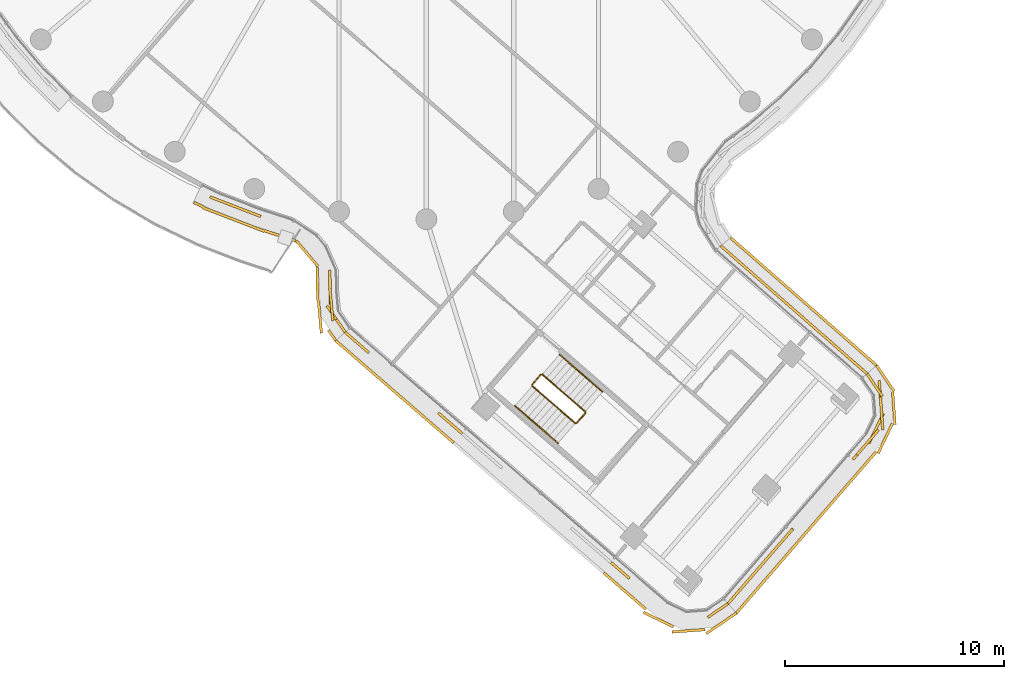
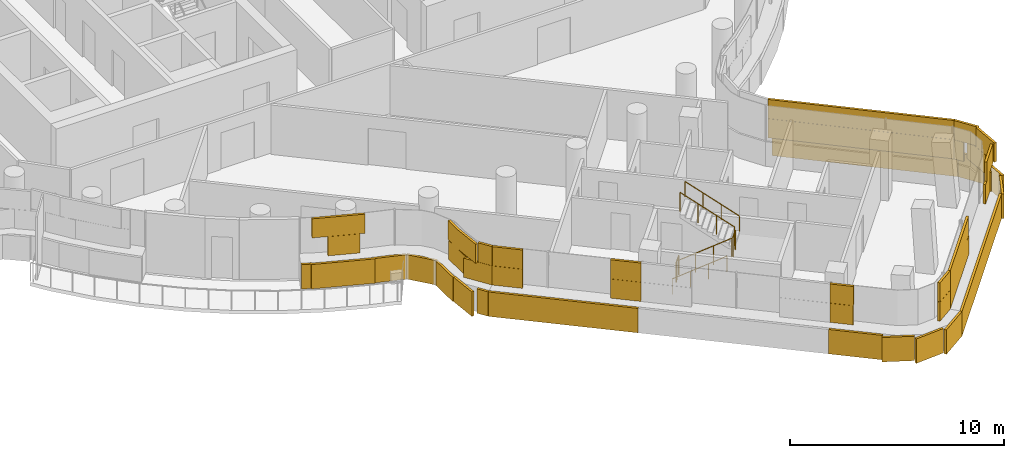
# One storey, part 26 of 32: 6 railings, 5 coverings.
"""IFC4 building model written with IfcOpenShell, lengths in metres."""

from ifc_helpers import new_model, si_unit, direction, frame, origin, origin_2d, place, context, subcontext, project, spatial, rectangle, circle, extrude, material, layer, layer_set, type_object, element, save


model = new_model("IFC4")

# Units and contexts
model_context = context("Model", 3, precision=1e-05, world=origin(), true_north=direction((0.0, 1.0)))
body_context = subcontext(model_context, "Body", "Model", "MODEL_VIEW")
ifc_project = project(units=[si_unit("LENGTHUNIT", "METRE"), si_unit("AREAUNIT", "SQUARE_METRE"), si_unit("VOLUMEUNIT", "CUBIC_METRE"), si_unit("PLANEANGLEUNIT", "RADIAN"), si_unit("MASSUNIT", "GRAM", prefix="KILO")], contexts=[model_context])

# Site, building, storey
site_placement = place(None, origin())
site = spatial("IfcSite", under=ifc_project, at=site_placement, CompositionType="ELEMENT")
building_placement = place(site_placement, origin())
building = spatial("IfcBuilding", under=site, at=building_placement, Name="Tamarind Cross Interchange Tower", CompositionType="ELEMENT")
storey_placement = place(building_placement, frame((0.0, 0.0, 211.300048828125)))
storey = spatial("IfcBuildingStorey", under=building, at=storey_placement, Name="L53", CompositionType="ELEMENT", Elevation=211.300048828125)

# Railings
ifc_material_1 = material(Name="Stair guard")
railing_type_1 = type_object("IfcRailingType", Name="Stair guard", PredefinedType="GUARDRAIL", material=ifc_material_1)
railing_1_placement = place(storey_placement, frame((4.8369140625, -30.62060546875, 0.16357421875)))
element("IfcRailing", 1, at=railing_1_placement, inside=storey, type_object=railing_type_1, Name="L53 ST6 stair guard 1", PredefinedType="GUARDRAIL", context=body_context, shape_type="SweptSolid", body=[
    extrude(circle(Radius=0.02392578125, at=origin_2d()), frame((0.0, 0.0, 1.076171875), z_axis=(0.639732644448, -0.554064099018, 0.532686697607), x_axis=(0.654680257776, 0.755905920123, 0.0)), (0.0, 0.0, 1.0), 3.072021484375),
    extrude(circle(Radius=0.02099609375, at=origin_2d()), origin(), (0.0, 0.0, 1.0), 1.052001953125),
    extrude(circle(Radius=0.02099609375, at=origin_2d()), frame((0.655029296875, -0.5673828125, 0.54541015625)), (0.0, 0.0, 1.0), 1.052001953125),
    extrude(circle(Radius=0.02099609375, at=origin_2d()), frame((1.310302734375, -1.134765625, 1.091064453125)), (0.0, 0.0, 1.0), 1.052001953125),
    extrude(circle(Radius=0.02099609375, at=origin_2d()), frame((1.96533203125, -1.7021484375, 1.636474609375)), (0.0, 0.0, 1.0), 1.052001953125),
])
railing_2_placement = place(storey_placement, frame((6.872802734375, -32.31787109375, 1.800048828125)))
element("IfcRailing", 2, at=railing_2_placement, inside=storey, type_object=railing_type_1, Name="L53 ST6 stair guard 2", PredefinedType="GUARDRAIL", context=body_context, shape_type="SweptSolid", body=[
    extrude(circle(Radius=0.02392578125, at=origin_2d()), frame((0.0, 0.0, 1.076171875), z_axis=(0.654636187165, 0.755944086857, 0.0), x_axis=(-0.755944086857, 0.654636187165, 0.0)), (0.0, 0.0, 1.0), 0.60009765625),
    extrude(circle(Radius=0.02099609375, at=origin_2d()), origin(), (0.0, 0.0, 1.0), 1.052001953125),
    extrude(circle(Radius=0.02099609375, at=origin_2d()), frame((0.392822265625, 0.45361328125, 0.0)), (0.0, 0.0, 1.0), 1.052001953125),
])
railing_3_placement = place(storey_placement, frame((7.260498046875, -31.793701171875, 1.963623046875)))
element("IfcRailing", 3, at=railing_3_placement, inside=storey, type_object=railing_type_1, Name="L53 ST6 stair guard 3", PredefinedType="GUARDRAIL", context=body_context, shape_type="SweptSolid", body=[
    extrude(circle(Radius=0.02392578125, at=origin_2d()), frame((0.0, 0.0, 1.076171875), z_axis=(-0.639759725665, 0.554087553706, 0.532629774088), x_axis=(-0.654680257776, -0.755905920123, 0.0)), (0.0, 0.0, 1.0), 3.072021484375),
    extrude(circle(Radius=0.02099609375, at=origin_2d()), origin(), (0.0, 0.0, 1.0), 1.052001953125),
    extrude(circle(Radius=0.02099609375, at=origin_2d()), frame((-0.655029296875, 0.5673828125, 0.54541015625)), (0.0, 0.0, 1.0), 1.052001953125),
    extrude(circle(Radius=0.02099609375, at=origin_2d()), frame((-1.310302734375, 1.134765625, 1.0908203125)), (0.0, 0.0, 1.0), 1.052001953125),
    extrude(circle(Radius=0.02099609375, at=origin_2d()), frame((-1.96533203125, 1.7021484375, 1.63623046875)), (0.0, 0.0, 1.0), 1.052001953125),
])
railing_4_placement = place(storey_placement, frame((4.831787109375, -30.55029296875, 0.0)))
element("IfcRailing", 4, at=railing_4_placement, inside=storey, type_object=railing_type_1, Name="L53 ST6 stair guard 4", PredefinedType="GUARDRAIL", context=body_context, shape_type="SweptSolid", body=[
    extrude(circle(Radius=0.02392578125, at=origin_2d()), frame((0.0, 0.0, 1.076171875), z_axis=(0.654636187165, 0.755944086857, 0.0), x_axis=(-0.755944086857, 0.654636187165, 0.0)), (0.0, 0.0, 1.0), 0.60009765625),
    extrude(circle(Radius=0.02099609375, at=origin_2d()), origin(), (0.0, 0.0, 1.0), 1.052001953125),
    extrude(circle(Radius=0.02099609375, at=origin_2d()), frame((0.392822265625, 0.45361328125, 0.0)), (0.0, 0.0, 1.0), 1.052001953125),
])
ifc_material_2 = material(Name="Stair handrail")
railing_type_2 = type_object("IfcRailingType", Name="Stair handrail", PredefinedType="HANDRAIL", material=ifc_material_2)
railing_5_placement = place(storey_placement, frame((4.05126953125, -31.52783203125, 0.16357421875)))
element("IfcRailing", 5, at=railing_5_placement, inside=storey, type_object=railing_type_2, Name="L53 ST6 stair handrail 1", PredefinedType="HANDRAIL", context=body_context, shape_type="SweptSolid", body=[
    extrude(circle(Radius=0.02392578125, at=origin_2d()), frame((0.0, 0.0, 0.8759765625), z_axis=(0.639732644448, -0.554064099018, 0.532686697607), x_axis=(0.654680257776, 0.755905920123, 0.0)), (0.0, 0.0, 1.0), 3.072021484375),
    extrude(circle(Radius=0.02099609375, at=origin_2d()), origin(), (0.0, 0.0, 1.0), 0.851806640625),
    extrude(circle(Radius=0.02099609375, at=origin_2d()), frame((0.655029296875, -0.5673828125, 0.54541015625)), (0.0, 0.0, 1.0), 0.851806640625),
    extrude(circle(Radius=0.02099609375, at=origin_2d()), frame((1.310302734375, -1.134765625, 1.091064453125)), (0.0, 0.0, 1.0), 0.851806640625),
    extrude(circle(Radius=0.02099609375, at=origin_2d()), frame((1.96533203125, -1.7021484375, 1.636474609375)), (0.0, 0.0, 1.0), 0.851806640625),
])
railing_6_placement = place(storey_placement, frame((8.046142578125, -30.88671875, 1.963623046875)))
element("IfcRailing", 6, at=railing_6_placement, inside=storey, type_object=railing_type_2, Name="L53 ST6 stair handrail 2", PredefinedType="HANDRAIL", context=body_context, shape_type="SweptSolid", body=[
    extrude(circle(Radius=0.02392578125, at=origin_2d()), frame((0.0, 0.0, 0.8759765625), z_axis=(-0.639759725665, 0.554087553706, 0.532629774088), x_axis=(-0.654680257776, -0.755905920123, 0.0)), (0.0, 0.0, 1.0), 3.072021484375),
    extrude(circle(Radius=0.02099609375, at=origin_2d()), origin(), (0.0, 0.0, 1.0), 0.851806640625),
    extrude(circle(Radius=0.02099609375, at=origin_2d()), frame((-0.655029296875, 0.5673828125, 0.54541015625)), (0.0, 0.0, 1.0), 0.851806640625),
    extrude(circle(Radius=0.02099609375, at=origin_2d()), frame((-1.310302734375, 1.134765625, 1.0908203125)), (0.0, 0.0, 1.0), 0.851806640625),
    extrude(circle(Radius=0.02099609375, at=origin_2d()), frame((-1.96533203125, 1.7021484375, 1.63623046875)), (0.0, 0.0, 1.0), 0.851806640625),
])

# Coverings
ifc_material_3 = material(Name="Terracotta", Category="masonry")
ifc_layer = layer(ifc_material_3, 0.1201171875)
ifc_layer_set = layer_set([ifc_layer], Name="Terracotta")
covering_type = type_object("IfcCoveringType", Name="Terracotta baguette screen unit", PredefinedType="MOLDING", material=ifc_layer_set)
covering_1_placement = place(storey_placement, origin())
element("IfcCovering", 7, at=covering_1_placement, inside=storey, type_object=covering_type, Name="SCR-L53-02-01", PredefinedType="MOLDING", context=body_context, shape_type="SweptSolid", body=[
    extrude(rectangle(XDim=1.52001953125, YDim=0.1201171875, at=origin_2d()), frame((-8.48583984375, -22.5205078125, 1.40380859375), z_axis=(0.0, 0.0, 1.0), x_axis=(0.933146843667, -0.359495435512, 0.0)), (0.0, 0.0, 1.0), 1.092041015625),
    extrude(rectangle(XDim=1.52001953125, YDim=0.1201171875, at=origin_2d()), frame((-4.40185546875, -26.138916015625, 1.40380859375), z_axis=(0.0, 0.0, 1.0), x_axis=(0.014896067468, -0.999889047432, 0.0)), (0.0, 0.0, 1.0), 1.092041015625),
    extrude(rectangle(XDim=1.472412109375, YDim=0.1201171875, at=origin_2d()), frame((-4.127685546875, -27.560546875, 1.40380859375), z_axis=(0.0, 0.0, 1.0), x_axis=(0.566316247011, -0.824188029743, 0.0)), (0.0, 0.0, 1.0), 1.092041015625),
    extrude(rectangle(XDim=1.52001953125, YDim=0.1201171875, at=origin_2d()), frame((-9.185791015625, -22.250732421875, 2.50390625), z_axis=(0.0, 0.0, 1.0), x_axis=(0.933146843667, -0.359495435512, 0.0)), (0.0, 0.0, 1.0), 1.092041015625),
    extrude(rectangle(XDim=0.9892578125, YDim=0.1201171875, at=origin_2d()), frame((-8.02880859375, -22.696533203125, 2.50390625), z_axis=(0.0, 0.0, 1.0), x_axis=(0.933146843667, -0.359495435512, 0.0)), (0.0, 0.0, 1.0), 1.092041015625),
    extrude(rectangle(XDim=0.830810546875, YDim=0.1201171875, at=origin_2d()), frame((-4.408203125, -25.728515625, 2.50390625), z_axis=(0.0, 0.0, 1.0), x_axis=(0.014896067468, -0.999889047432, 0.0)), (0.0, 0.0, 1.0), 1.092041015625),
    extrude(rectangle(XDim=1.52001953125, YDim=0.1201171875, at=origin_2d()), frame((-4.34326171875, -26.88623046875, 2.50390625), z_axis=(0.0, 0.0, 1.0), x_axis=(0.091849763403, -0.995772876194, 0.0)), (0.0, 0.0, 1.0), 1.092041015625),
    extrude(rectangle(XDim=0.722412109375, YDim=0.1201171875, at=origin_2d()), frame((-3.915283203125, -27.86962890625, 2.50390625), z_axis=(0.0, 0.0, 1.0), x_axis=(0.566316247011, -0.824188029743, 0.0)), (0.0, 0.0, 1.0), 1.092041015625),
    extrude(rectangle(XDim=0.480712890625, YDim=0.1201171875, at=origin_2d()), frame((-10.404296875, -22.337890625, 0.00390625), z_axis=(0.0, 0.0, 1.0), x_axis=(0.900272776334, -0.435326231914, 0.0)), (0.0, 0.0, 1.0), 1.39208984375),
    extrude(rectangle(XDim=1.52001953125, YDim=0.1201171875, at=origin_2d()), frame((-9.51123046875, -22.740478515625, 0.00390625), z_axis=(0.0, 0.0, 1.0), x_axis=(0.933146843667, -0.359495435512, 0.0)), (0.0, 0.0, 1.0), 1.39208984375),
    extrude(rectangle(XDim=1.52001953125, YDim=0.1201171875, at=origin_2d()), frame((-8.111572265625, -23.27978515625, 0.00390625), z_axis=(0.0, 0.0, 1.0), x_axis=(0.933146843667, -0.359495435512, 0.0)), (0.0, 0.0, 1.0), 1.39208984375),
    extrude(rectangle(XDim=1.52001953125, YDim=0.1201171875, at=origin_2d()), frame((-6.689453125, -23.755615234375, 0.00390625), z_axis=(0.0, 0.0, 1.0), x_axis=(0.950582973544, -0.310470627288, 0.0)), (0.0, 0.0, 1.0), 1.39208984375),
    extrude(rectangle(XDim=1.52001953125, YDim=0.1201171875, at=origin_2d()), frame((-5.44921875, -24.571533203125, 0.00390625), z_axis=(0.0, 0.0, 1.0), x_axis=(0.647001424013, -0.762488791606, 0.0)), (0.0, 0.0, 1.0), 1.39208984375),
    extrude(rectangle(XDim=1.52001953125, YDim=0.1201171875, at=origin_2d()), frame((-4.978759765625, -25.957763671875, 0.00390625), z_axis=(0.0, 0.0, 1.0), x_axis=(0.014896067468, -0.999889047432, 0.0)), (0.0, 0.0, 1.0), 1.39208984375),
    extrude(rectangle(XDim=1.52001953125, YDim=0.1201171875, at=origin_2d()), frame((-4.867431640625, -27.452880859375, 0.00390625), z_axis=(0.0, 0.0, 1.0), x_axis=(0.091849763403, -0.995772876194, 0.0)), (0.0, 0.0, 1.0), 1.39208984375),
    extrude(rectangle(XDim=0.5791015625, YDim=0.1201171875, at=origin_2d()), frame((-4.308837890625, -28.310302734375, 0.00390625), z_axis=(0.0, 0.0, 1.0), x_axis=(0.566316247011, -0.824188029743, 0.0)), (0.0, 0.0, 1.0), 1.39208984375),
])
covering_2_placement = place(storey_placement, origin())
element("IfcCovering", 8, at=covering_2_placement, inside=storey, type_object=covering_type, Name="SCR-L53-03-00", PredefinedType="MOLDING", context=body_context, shape_type="SweptSolid", body=[
    extrude(rectangle(XDim=0.760009765625, YDim=0.1201171875, at=origin_2d()), frame((-3.43017578125, -28.40869140625, 1.40380859375), z_axis=(0.0, 0.0, 1.0), x_axis=(0.755917458902, -0.654666934653, 0.0)), (0.0, 0.0, 1.0), 1.092041015625),
    extrude(rectangle(XDim=0.694580078125, YDim=0.1201171875, at=origin_2d()), frame((-2.887939453125, -28.87841796875, 1.40380859375), z_axis=(0.0, 0.0, 1.0), x_axis=(0.755917458902, -0.654666934653, 0.0)), (0.0, 0.0, 1.0), 1.092041015625),
    extrude(rectangle(XDim=1.125244140625, YDim=0.1201171875, at=origin_2d()), frame((0.96728515625, -32.217041015625, 1.40380859375), z_axis=(0.0, 0.0, 1.0), x_axis=(0.755917458902, -0.654666934653, 0.0)), (0.0, 0.0, 1.0), 1.092041015625),
    extrude(rectangle(XDim=0.329345703125, YDim=0.1201171875, at=origin_2d()), frame((1.509521484375, -32.686767578125, 1.40380859375), z_axis=(0.0, 0.0, 1.0), x_axis=(0.755917458902, -0.654666934653, 0.0)), (0.0, 0.0, 1.0), 1.092041015625),
    extrude(rectangle(XDim=1.4345703125, YDim=0.1201171875, at=origin_2d()), frame((-3.17138671875, -28.6328125, 2.50390625), z_axis=(0.0, 0.0, 1.0), x_axis=(0.755917458902, -0.654666934653, 0.0)), (0.0, 0.0, 1.0), 1.092041015625),
    extrude(rectangle(XDim=0.375244140625, YDim=0.1201171875, at=origin_2d()), frame((0.683837890625, -31.9716796875, 2.50390625), z_axis=(0.0, 0.0, 1.0), x_axis=(0.755917458902, -0.654666934653, 0.0)), (0.0, 0.0, 1.0), 1.092041015625),
    extrude(rectangle(XDim=1.079345703125, YDim=0.1201171875, at=origin_2d()), frame((1.22607421875, -32.441162109375, 2.50390625), z_axis=(0.0, 0.0, 1.0), x_axis=(0.755917458902, -0.654666934653, 0.0)), (0.0, 0.0, 1.0), 1.092041015625),
    extrude(rectangle(XDim=0.760009765625, YDim=0.1201171875, at=origin_2d()), frame((-3.857666015625, -28.797607421875, 0.00390625), z_axis=(0.0, 0.0, 1.0), x_axis=(0.755917458902, -0.654666934653, 0.0)), (0.0, 0.0, 1.0), 1.39208984375),
    extrude(rectangle(XDim=1.52001953125, YDim=0.1201171875, at=origin_2d()), frame((-3.010986328125, -29.531005859375, 0.00390625), z_axis=(0.0, 0.0, 1.0), x_axis=(0.755917458902, -0.654666934653, 0.0)), (0.0, 0.0, 1.0), 1.39208984375),
    extrude(rectangle(XDim=1.52001953125, YDim=0.1201171875, at=origin_2d()), frame((-1.877197265625, -30.512939453125, 0.00390625), z_axis=(0.0, 0.0, 1.0), x_axis=(0.755917458902, -0.654666934653, 0.0)), (0.0, 0.0, 1.0), 1.39208984375),
    extrude(rectangle(XDim=1.52001953125, YDim=0.1201171875, at=origin_2d()), frame((-0.743408203125, -31.494873046875, 0.00390625), z_axis=(0.0, 0.0, 1.0), x_axis=(0.755917458902, -0.654666934653, 0.0)), (0.0, 0.0, 1.0), 1.39208984375),
    extrude(rectangle(XDim=1.52001953125, YDim=0.1201171875, at=origin_2d()), frame((0.390625, -32.476806640625, 0.00390625), z_axis=(0.0, 0.0, 1.0), x_axis=(0.755917458902, -0.654666934653, 0.0)), (0.0, 0.0, 1.0), 1.39208984375),
    extrude(rectangle(XDim=0.384033203125, YDim=0.1201171875, at=origin_2d()), frame((1.094970703125, -33.087158203125, 0.00390625), z_axis=(0.0, 0.0, 1.0), x_axis=(0.755917458902, -0.654666934653, 0.0)), (0.0, 0.0, 1.0), 1.39208984375),
])
covering_3_placement = place(storey_placement, origin())
element("IfcCovering", 9, at=covering_3_placement, inside=storey, type_object=covering_type, Name="SCR-L53-03-02", PredefinedType="MOLDING", context=body_context, shape_type="SweptSolid", body=[
    extrude(rectangle(XDim=1.108154296875, YDim=0.1201171875, at=origin_2d()), frame((8.860595703125, -39.05322265625, 1.40380859375), z_axis=(0.0, 0.0, 1.0), x_axis=(0.755917458902, -0.654666934653, 0.0)), (0.0, 0.0, 1.0), 1.092041015625),
    extrude(rectangle(XDim=0.37158203125, YDim=0.1201171875, at=origin_2d()), frame((13.016845703125, -41.08837890625, 1.40380859375), z_axis=(0.0, 0.0, 1.0), x_axis=(0.828005534688, 0.560719925209, 0.0)), (0.0, 0.0, 1.0), 1.092041015625),
    extrude(rectangle(XDim=0.756591796875, YDim=0.1201171875, at=origin_2d()), frame((13.4755859375, -40.77783203125, 1.40380859375), z_axis=(0.0, 0.0, 1.0), x_axis=(0.828005534688, 0.560719925209, 0.0)), (0.0, 0.0, 1.0), 1.092041015625),
    extrude(rectangle(XDim=0.4296875, YDim=0.1201171875, at=origin_2d()), frame((8.600341796875, -38.827880859375, 2.50390625), z_axis=(0.0, 0.0, 1.0), x_axis=(0.755917458902, -0.654666934653, 0.0)), (0.0, 0.0, 1.0), 1.092041015625),
    extrude(rectangle(XDim=0.698486328125, YDim=0.1201171875, at=origin_2d()), frame((9.019287109375, -39.1904296875, 2.50390625), z_axis=(0.0, 0.0, 1.0), x_axis=(0.755917458902, -0.654666934653, 0.0)), (0.0, 0.0, 1.0), 1.092041015625),
    extrude(rectangle(XDim=1.108154296875, YDim=0.1201171875, at=origin_2d()), frame((13.325927734375, -40.879150390625, 2.50390625), z_axis=(0.0, 0.0, 1.0), x_axis=(0.828005534688, 0.560719925209, 0.0)), (0.0, 0.0, 1.0), 1.092041015625),
    extrude(rectangle(XDim=1.05517578125, YDim=0.1201171875, at=origin_2d()), frame((8.50341796875, -39.5029296875, 0.00390625), z_axis=(0.0, 0.0, 1.0), x_axis=(0.755917458902, -0.654666934653, 0.0)), (0.0, 0.0, 1.0), 1.39208984375),
    extrude(rectangle(XDim=1.52001953125, YDim=0.1201171875, at=origin_2d()), frame((9.46142578125, -40.3330078125, 0.00390625), z_axis=(0.0, 0.0, 1.0), x_axis=(0.755917458902, -0.654666934653, 0.0)), (0.0, 0.0, 1.0), 1.39208984375),
    extrude(rectangle(XDim=1.52001953125, YDim=0.1201171875, at=origin_2d()), frame((10.60693359375, -41.29736328125, 0.00390625), z_axis=(0.0, 0.0, 1.0), x_axis=(0.899600466983, -0.436713864909, 0.0)), (0.0, 0.0, 1.0), 1.39208984375),
    extrude(rectangle(XDim=1.52001953125, YDim=0.1201171875, at=origin_2d()), frame((11.983642578125, -41.810302734375, 0.00390625), z_axis=(0.0, 0.0, 1.0), x_axis=(0.997433790118, 0.071594932295, 0.0)), (0.0, 0.0, 1.0), 1.39208984375),
    extrude(rectangle(XDim=1.52001953125, YDim=0.1201171875, at=origin_2d()), frame((13.4140625, -41.5126953125, 0.00390625), z_axis=(0.0, 0.0, 1.0), x_axis=(0.828005534688, 0.560719925209, 0.0)), (0.0, 0.0, 1.0), 1.39208984375),
    extrude(rectangle(XDim=0.172119140625, YDim=0.1201171875, at=origin_2d()), frame((14.097900390625, -41.049560546875, 0.00390625), z_axis=(0.0, 0.0, 1.0), x_axis=(0.828005534688, 0.560719925209, 0.0)), (0.0, 0.0, 1.0), 1.39208984375),
])
covering_4_placement = place(storey_placement, origin())
element("IfcCovering", 10, at=covering_4_placement, inside=storey, type_object=covering_type, Name="SCR-L53-04-00", PredefinedType="MOLDING", context=body_context, shape_type="SweptSolid", body=[
    extrude(rectangle(XDim=0.760009765625, YDim=0.1201171875, at=origin_2d()), frame((14.0302734375, -40.28515625, 1.40380859375), z_axis=(0.0, 0.0, 1.0), x_axis=(0.654666934653, 0.755917458902, 0.0)), (0.0, 0.0, 1.0), 1.092041015625),
    extrude(rectangle(XDim=1.52001953125, YDim=0.1201171875, at=origin_2d()), frame((14.766845703125, -39.4345703125, 1.40380859375), z_axis=(0.0, 0.0, 1.0), x_axis=(0.654666934653, 0.755917458902, 0.0)), (0.0, 0.0, 1.0), 1.092041015625),
    extrude(rectangle(XDim=1.52001953125, YDim=0.1201171875, at=origin_2d()), frame((15.748779296875, -38.30078125, 1.40380859375), z_axis=(0.0, 0.0, 1.0), x_axis=(0.654666934653, 0.755917458902, 0.0)), (0.0, 0.0, 1.0), 1.092041015625),
    extrude(rectangle(XDim=0.78466796875, YDim=0.1201171875, at=origin_2d()), frame((16.493408203125, -37.44091796875, 1.40380859375), z_axis=(0.0, 0.0, 1.0), x_axis=(0.654666934653, 0.755917458902, 0.0)), (0.0, 0.0, 1.0), 1.092041015625),
    extrude(rectangle(XDim=1.03515625, YDim=0.1201171875, at=origin_2d()), frame((19.832275390625, -33.5859375, 1.40380859375), z_axis=(0.0, 0.0, 1.0), x_axis=(0.654666934653, 0.755917458902, 0.0)), (0.0, 0.0, 1.0), 1.092041015625),
    extrude(rectangle(XDim=1.52001953125, YDim=0.1201171875, at=origin_2d()), frame((20.554931640625, -32.56298828125, 1.40380859375), z_axis=(0.0, 0.0, 1.0), x_axis=(0.436713864909, 0.899600466983, 0.0)), (0.0, 0.0, 1.0), 1.092041015625),
    extrude(rectangle(XDim=1.52001953125, YDim=0.1201171875, at=origin_2d()), frame((20.75, -31.125, 1.40380859375), z_axis=(0.0, 0.0, 1.0), x_axis=(-0.071594932295, 0.997433790118, 0.0)), (0.0, 0.0, 1.0), 1.092041015625),
    extrude(rectangle(XDim=0.509521484375, YDim=0.1201171875, at=origin_2d()), frame((20.276611328125, -30.26708984375, 1.40380859375), z_axis=(0.0, 0.0, 1.0), x_axis=(-0.560719925209, 0.828005534688, 0.0)), (0.0, 0.0, 1.0), 1.092041015625),
    extrude(rectangle(XDim=1.510009765625, YDim=0.1201171875, at=origin_2d()), frame((14.27587890625, -40.001708984375, 2.50390625), z_axis=(0.0, 0.0, 1.0), x_axis=(0.654666934653, 0.755917458902, 0.0)), (0.0, 0.0, 1.0), 1.092041015625),
    extrude(rectangle(XDim=1.52001953125, YDim=0.1201171875, at=origin_2d()), frame((15.2578125, -38.86767578125, 2.50390625), z_axis=(0.0, 0.0, 1.0), x_axis=(0.654666934653, 0.755917458902, 0.0)), (0.0, 0.0, 1.0), 1.092041015625),
    extrude(rectangle(XDim=1.52001953125, YDim=0.1201171875, at=origin_2d()), frame((16.23974609375, -37.73388671875, 2.50390625), z_axis=(0.0, 0.0, 1.0), x_axis=(0.654666934653, 0.755917458902, 0.0)), (0.0, 0.0, 1.0), 1.092041015625),
    extrude(rectangle(XDim=1.52001953125, YDim=0.1201171875, at=origin_2d()), frame((20.167724609375, -33.1982421875, 2.50390625), z_axis=(0.0, 0.0, 1.0), x_axis=(0.654666934653, 0.755917458902, 0.0)), (0.0, 0.0, 1.0), 1.092041015625),
    extrude(rectangle(XDim=1.52001953125, YDim=0.1201171875, at=origin_2d()), frame((20.8037109375, -31.873046875, 2.50390625), z_axis=(0.0, 0.0, 1.0), x_axis=(-0.071594932295, 0.997433790118, 0.0)), (0.0, 0.0, 1.0), 1.092041015625),
    extrude(rectangle(XDim=1.259521484375, YDim=0.1201171875, at=origin_2d()), frame((20.487060546875, -30.577392578125, 2.50390625), z_axis=(0.0, 0.0, 1.0), x_axis=(-0.560719925209, 0.828005534688, 0.0)), (0.0, 0.0, 1.0), 1.092041015625),
    extrude(rectangle(XDim=0.760009765625, YDim=0.1201171875, at=origin_2d()), frame((14.41796875, -40.714111328125, 0.00390625), z_axis=(0.0, 0.0, 1.0), x_axis=(0.654666934653, 0.755917458902, 0.0)), (0.0, 0.0, 1.0), 1.39208984375),
    extrude(rectangle(XDim=1.52001953125, YDim=0.1201171875, at=origin_2d()), frame((15.151123046875, -39.86767578125, 0.00390625), z_axis=(0.0, 0.0, 1.0), x_axis=(0.654666934653, 0.755917458902, 0.0)), (0.0, 0.0, 1.0), 1.39208984375),
    extrude(rectangle(XDim=1.52001953125, YDim=0.1201171875, at=origin_2d()), frame((16.13330078125, -38.733642578125, 0.00390625), z_axis=(0.0, 0.0, 1.0), x_axis=(0.654666934653, 0.755917458902, 0.0)), (0.0, 0.0, 1.0), 1.39208984375),
    extrude(rectangle(XDim=1.52001953125, YDim=0.1201171875, at=origin_2d()), frame((17.115234375, -37.599853515625, 0.00390625), z_axis=(0.0, 0.0, 1.0), x_axis=(0.654666934653, 0.755917458902, 0.0)), (0.0, 0.0, 1.0), 1.39208984375),
    extrude(rectangle(XDim=1.52001953125, YDim=0.1201171875, at=origin_2d()), frame((18.09716796875, -36.4658203125, 0.00390625), z_axis=(0.0, 0.0, 1.0), x_axis=(0.654666934653, 0.755917458902, 0.0)), (0.0, 0.0, 1.0), 1.39208984375),
    extrude(rectangle(XDim=1.52001953125, YDim=0.1201171875, at=origin_2d()), frame((19.0791015625, -35.33203125, 0.00390625), z_axis=(0.0, 0.0, 1.0), x_axis=(0.654666934653, 0.755917458902, 0.0)), (0.0, 0.0, 1.0), 1.39208984375),
    extrude(rectangle(XDim=1.52001953125, YDim=0.1201171875, at=origin_2d()), frame((20.061279296875, -34.1982421875, 0.00390625), z_axis=(0.0, 0.0, 1.0), x_axis=(0.654666934653, 0.755917458902, 0.0)), (0.0, 0.0, 1.0), 1.39208984375),
    extrude(rectangle(XDim=1.52001953125, YDim=0.1201171875, at=origin_2d()), frame((20.972412109375, -33.017578125, 0.00390625), z_axis=(0.0, 0.0, 1.0), x_axis=(0.436713864909, 0.899600466983, 0.0)), (0.0, 0.0, 1.0), 1.39208984375),
    extrude(rectangle(XDim=1.52001953125, YDim=0.1201171875, at=origin_2d()), frame((21.36083984375, -31.616943359375, 0.00390625), z_axis=(0.0, 0.0, 1.0), x_axis=(-0.071594932295, 0.997433790118, 0.0)), (0.0, 0.0, 1.0), 1.39208984375),
    extrude(rectangle(XDim=1.425537109375, YDim=0.1201171875, at=origin_2d()), frame((20.969970703125, -30.26708984375, 0.00390625), z_axis=(0.0, 0.0, 1.0), x_axis=(-0.560719925209, 0.828005534688, 0.0)), (0.0, 0.0, 1.0), 1.39208984375),
])
covering_5_placement = place(storey_placement, origin())
element("IfcCovering", 11, at=covering_5_placement, inside=storey, type_object=covering_type, Name="SCR-L53-05-00", PredefinedType="MOLDING", context=body_context, shape_type="SweptSolid", body=[
    extrude(rectangle(XDim=0.760009765625, YDim=0.1201171875, at=origin_2d()), frame((19.8544921875, -29.813232421875, 1.40380859375), z_axis=(0.0, 0.0, 1.0), x_axis=(-0.752605377966, 0.658471825561, 0.0)), (0.0, 0.0, 1.0), 1.092041015625),
    extrude(rectangle(XDim=1.52001953125, YDim=0.1201171875, at=origin_2d()), frame((19.0078125, -29.072509765625, 1.40380859375), z_axis=(0.0, 0.0, 1.0), x_axis=(-0.752605377966, 0.658471825561, 0.0)), (0.0, 0.0, 1.0), 1.092041015625),
    extrude(rectangle(XDim=1.52001953125, YDim=0.1201171875, at=origin_2d()), frame((17.87890625, -28.084716796875, 1.40380859375), z_axis=(0.0, 0.0, 1.0), x_axis=(-0.752605377966, 0.658471825561, 0.0)), (0.0, 0.0, 1.0), 1.092041015625),
    extrude(rectangle(XDim=1.52001953125, YDim=0.1201171875, at=origin_2d()), frame((16.75, -27.09716796875, 1.40380859375), z_axis=(0.0, 0.0, 1.0), x_axis=(-0.752605377966, 0.658471825561, 0.0)), (0.0, 0.0, 1.0), 1.092041015625),
    extrude(rectangle(XDim=1.52001953125, YDim=0.1201171875, at=origin_2d()), frame((15.62109375, -26.109375, 1.40380859375), z_axis=(0.0, 0.0, 1.0), x_axis=(-0.752605377966, 0.658471825561, 0.0)), (0.0, 0.0, 1.0), 1.092041015625),
    extrude(rectangle(XDim=1.52001953125, YDim=0.1201171875, at=origin_2d()), frame((14.4921875, -25.12158203125, 1.40380859375), z_axis=(0.0, 0.0, 1.0), x_axis=(-0.752605377966, 0.658471825561, 0.0)), (0.0, 0.0, 1.0), 1.092041015625),
    extrude(rectangle(XDim=0.637451171875, YDim=0.1201171875, at=origin_2d()), frame((13.69140625, -24.421142578125, 1.40380859375), z_axis=(0.0, 0.0, 1.0), x_axis=(-0.752605377966, 0.658471825561, 0.0)), (0.0, 0.0, 1.0), 1.092041015625),
    extrude(rectangle(XDim=1.510009765625, YDim=0.1201171875, at=origin_2d()), frame((19.572265625, -29.56640625, 2.50390625), z_axis=(0.0, 0.0, 1.0), x_axis=(-0.752605377966, 0.658471825561, 0.0)), (0.0, 0.0, 1.0), 1.092041015625),
    extrude(rectangle(XDim=1.52001953125, YDim=0.1201171875, at=origin_2d()), frame((18.443359375, -28.57861328125, 2.50390625), z_axis=(0.0, 0.0, 1.0), x_axis=(-0.752605377966, 0.658471825561, 0.0)), (0.0, 0.0, 1.0), 1.092041015625),
    extrude(rectangle(XDim=1.52001953125, YDim=0.1201171875, at=origin_2d()), frame((17.314453125, -27.591064453125, 2.50390625), z_axis=(0.0, 0.0, 1.0), x_axis=(-0.752605377966, 0.658471825561, 0.0)), (0.0, 0.0, 1.0), 1.092041015625),
    extrude(rectangle(XDim=1.52001953125, YDim=0.1201171875, at=origin_2d()), frame((16.185546875, -26.603271484375, 2.50390625), z_axis=(0.0, 0.0, 1.0), x_axis=(-0.752605377966, 0.658471825561, 0.0)), (0.0, 0.0, 1.0), 1.092041015625),
    extrude(rectangle(XDim=1.52001953125, YDim=0.1201171875, at=origin_2d()), frame((15.056640625, -25.615478515625, 2.50390625), z_axis=(0.0, 0.0, 1.0), x_axis=(-0.752605377966, 0.658471825561, 0.0)), (0.0, 0.0, 1.0), 1.092041015625),
    extrude(rectangle(XDim=1.387451171875, YDim=0.1201171875, at=origin_2d()), frame((13.9736328125, -24.668212890625, 2.50390625), z_axis=(0.0, 0.0, 1.0), x_axis=(-0.752605377966, 0.658471825561, 0.0)), (0.0, 0.0, 1.0), 1.092041015625),
    extrude(rectangle(XDim=0.760009765625, YDim=0.1201171875, at=origin_2d()), frame((20.284423828125, -29.4267578125, 0.00390625), z_axis=(0.0, 0.0, 1.0), x_axis=(-0.752605377966, 0.658471825561, 0.0)), (0.0, 0.0, 1.0), 1.39208984375),
    extrude(rectangle(XDim=1.52001953125, YDim=0.1201171875, at=origin_2d()), frame((19.44140625, -28.689208984375, 0.00390625), z_axis=(0.0, 0.0, 1.0), x_axis=(-0.752605377966, 0.658471825561, 0.0)), (0.0, 0.0, 1.0), 1.39208984375),
    extrude(rectangle(XDim=1.52001953125, YDim=0.1201171875, at=origin_2d()), frame((18.3125, -27.70166015625, 0.00390625), z_axis=(0.0, 0.0, 1.0), x_axis=(-0.752605377966, 0.658471825561, 0.0)), (0.0, 0.0, 1.0), 1.39208984375),
    extrude(rectangle(XDim=1.52001953125, YDim=0.1201171875, at=origin_2d()), frame((17.18359375, -26.7138671875, 0.00390625), z_axis=(0.0, 0.0, 1.0), x_axis=(-0.752605377966, 0.658471825561, 0.0)), (0.0, 0.0, 1.0), 1.39208984375),
    extrude(rectangle(XDim=1.52001953125, YDim=0.1201171875, at=origin_2d()), frame((16.0546875, -25.72607421875, 0.00390625), z_axis=(0.0, 0.0, 1.0), x_axis=(-0.752605377966, 0.658471825561, 0.0)), (0.0, 0.0, 1.0), 1.39208984375),
    extrude(rectangle(XDim=1.52001953125, YDim=0.1201171875, at=origin_2d()), frame((14.92578125, -24.738525390625, 0.00390625), z_axis=(0.0, 0.0, 1.0), x_axis=(-0.752605377966, 0.658471825561, 0.0)), (0.0, 0.0, 1.0), 1.39208984375),
    extrude(rectangle(XDim=0.6259765625, YDim=0.1201171875, at=origin_2d()), frame((14.13330078125, -24.045166015625, 0.00390625), z_axis=(0.0, 0.0, 1.0), x_axis=(-0.752605377966, 0.658471825561, 0.0)), (0.0, 0.0, 1.0), 1.39208984375),
])

save(model, "model.ifc")
